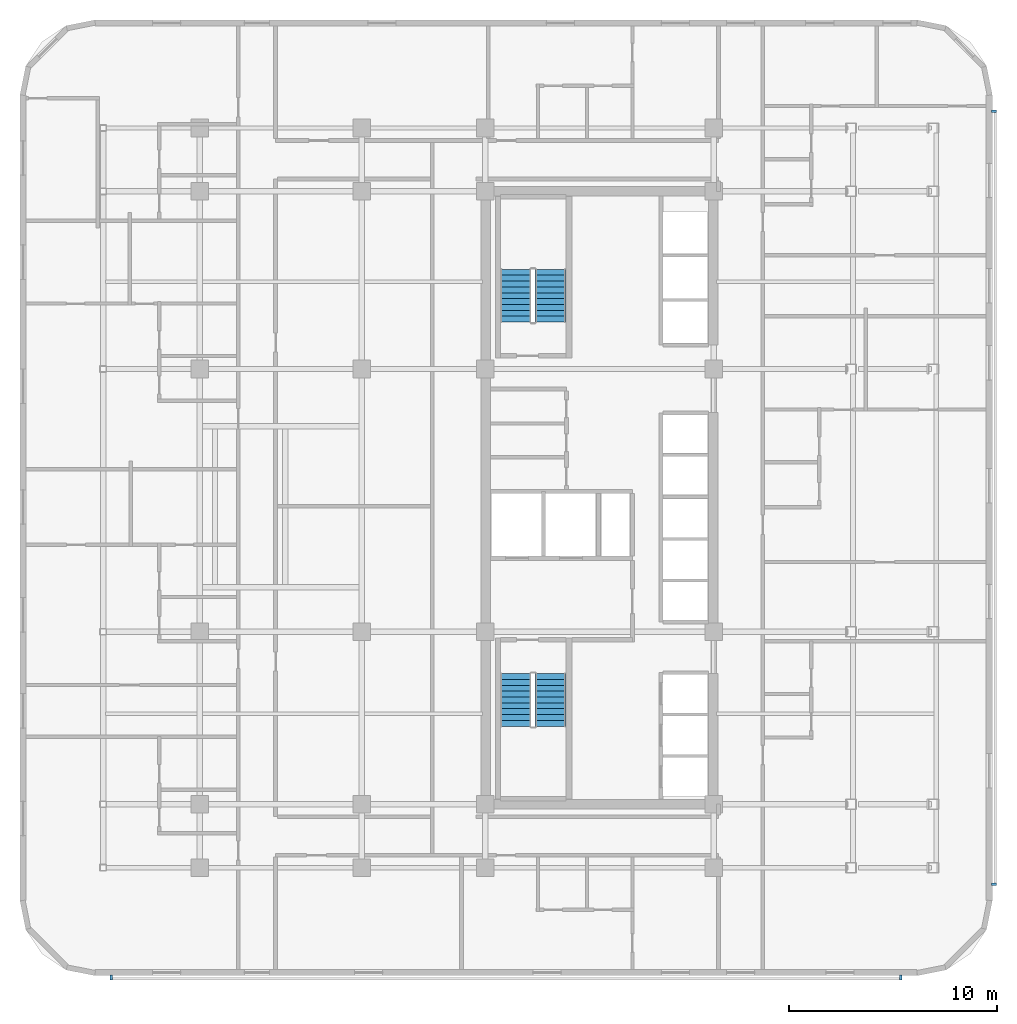
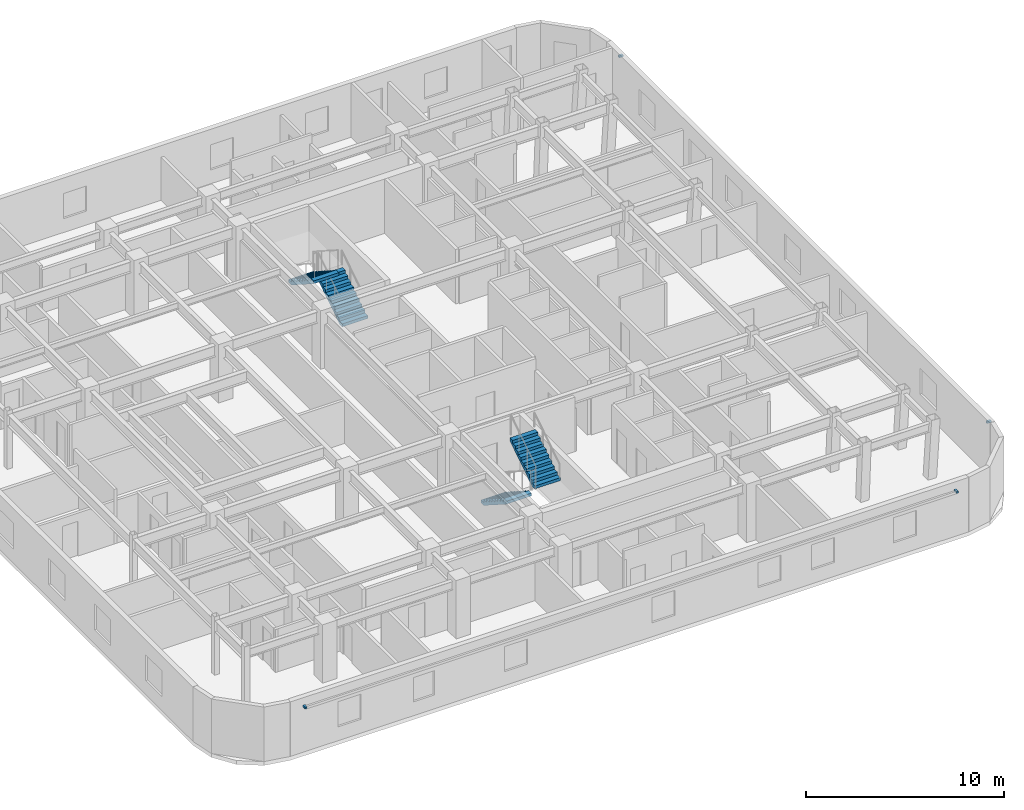
# One storey, part 11 of 14: 4 discrete accessories, 4 stair flights, 2 elements without a shape of their own.
"""IFC4 building model written with IfcOpenShell, lengths in metres."""

from ifc_helpers import new_model, si_unit, direction, frame, origin, origin_2d, place, context, subcontext, project, spatial, polyline, rectangle, outline, extrude, material, type_object, element, aggregate, save


model = new_model("IFC4")

# Units and contexts
model_context = context("Model", 3, precision=1e-05, world=origin(), true_north=direction((0.0, 1.0)))
body_context = subcontext(model_context, "Body", "Model", "MODEL_VIEW")
ifc_project = project(units=[si_unit("LENGTHUNIT", "METRE"), si_unit("AREAUNIT", "SQUARE_METRE"), si_unit("VOLUMEUNIT", "CUBIC_METRE"), si_unit("PLANEANGLEUNIT", "RADIAN"), si_unit("MASSUNIT", "GRAM", prefix="KILO")], contexts=[model_context])

# Site, building, storey
site_placement = place(None, origin())
site = spatial("IfcSite", under=ifc_project, at=site_placement, CompositionType="ELEMENT")
building_placement = place(site_placement, origin())
building = spatial("IfcBuilding", under=site, at=building_placement, Name="Ochreholt Gables", CompositionType="ELEMENT")
storey_placement = place(building_placement, frame((0.0, 0.0, 52.800048828125)))
storey = spatial("IfcBuildingStorey", under=building, at=storey_placement, Name="L13", CompositionType="ELEMENT", Elevation=52.800048828125)

# Stair, stair flights
ifc_material_1 = material(Name="Concrete 40 MPa", Category="concrete")
stair_type_1 = type_object("IfcStairType", Name="STAIR-CORE-ST-1", PredefinedType="HALF_TURN_STAIR", material=ifc_material_1)
stair_1_placement = place(storey_placement, origin())
stair_1 = element("IfcStair", 1, at=stair_1_placement, inside=storey, type_object=stair_type_1, Name="L13 Core Exit Stair 1", PredefinedType="HALF_TURN_STAIR")
stair_flight_type = type_object("IfcStairFlightType", Name="FLIGHT-ST-1480-1800", PredefinedType="STRAIGHT", material=ifc_material_1)
stair_flight_1_placement = place(storey_placement, frame((25.659912109375, 15.5400390625, 0.0), z_axis=(0.0, 0.0, 1.0), x_axis=(0.0, -1.0, 0.0)))
stair_flight_1 = element("IfcStairFlight", 2, at=stair_flight_1_placement, type_object=stair_flight_type, Name="ST-1 flight 1", NumberOfRisers=10, NumberOfTreads=9, PredefinedType="STRAIGHT", RiserHeight=0.18, TreadLength=0.282, context=body_context, shape_type="SweptSolid", body=[
    extrude(outline(polyline([(0.0, 0.0), (0.0, 0.179931640625), (0.281982421875, 0.179931640625), (0.281982421875, 0.360107421875), (0.56396484375, 0.360107421875), (0.56396484375, 0.5400390625), (0.845947265625, 0.5400390625), (0.845947265625, 0.719970703125), (1.1279296875, 0.719970703125), (1.1279296875, 0.89990234375), (1.409912109375, 0.89990234375), (1.409912109375, 1.080078125), (1.69189453125, 1.080078125), (1.69189453125, 1.260009765625), (1.97412109375, 1.260009765625), (1.97412109375, 1.43994140625), (2.256103515625, 1.43994140625), (2.256103515625, 1.6201171875), (2.5380859375, 1.6201171875), (2.5380859375, 1.800048828125), (2.5380859375, 1.442138671875), (0.278564453125, 0.0), (0.0, 0.0)])), frame((0.0, 0.739990234375, 0.0), z_axis=(0.0, -1.0, 0.0), x_axis=(1.0, 0.0, 0.0)), (0.0, 0.0, 1.0), 1.47998046875),
])
stair_flight_2_placement = place(storey_placement, frame((27.340087890625, 13.001953125, 1.800048828125), z_axis=(0.0, 0.0, 1.0), x_axis=(0.0, 1.0, 0.0)))
stair_flight_2 = element("IfcStairFlight", 3, at=stair_flight_2_placement, type_object=stair_flight_type, Name="ST-1 flight 2", NumberOfRisers=10, NumberOfTreads=9, PredefinedType="STRAIGHT", RiserHeight=0.18, TreadLength=0.282, context=body_context, shape_type="SweptSolid", body=[
    extrude(outline(polyline([(0.0, 0.0), (0.0, 0.179931640625), (0.281982421875, 0.179931640625), (0.281982421875, 0.360107421875), (0.56396484375, 0.360107421875), (0.56396484375, 0.5400390625), (0.845947265625, 0.5400390625), (0.845947265625, 0.719970703125), (1.1279296875, 0.719970703125), (1.1279296875, 0.89990234375), (1.409912109375, 0.89990234375), (1.409912109375, 1.080078125), (1.69189453125, 1.080078125), (1.69189453125, 1.260009765625), (1.97412109375, 1.260009765625), (1.97412109375, 1.43994140625), (2.256103515625, 1.43994140625), (2.256103515625, 1.6201171875), (2.5380859375, 1.6201171875), (2.5380859375, 1.800048828125), (2.5380859375, 1.442138671875), (0.278564453125, 0.0), (0.0, 0.0)])), frame((0.0, 0.739990234375, 0.0), z_axis=(0.0, -1.0, 0.0), x_axis=(1.0, 0.0, 0.0)), (0.0, 0.0, 1.0), 1.47998046875),
])
aggregate(stair_1, [stair_flight_1, stair_flight_2])

stair_type_2 = type_object("IfcStairType", Name="STAIR-CORE-ST-2", PredefinedType="HALF_TURN_STAIR", material=ifc_material_1)
stair_2_placement = place(storey_placement, origin())
stair_2 = element("IfcStair", 4, at=stair_2_placement, inside=storey, type_object=stair_type_2, Name="L13 Core Exit Stair 2", PredefinedType="HALF_TURN_STAIR")
stair_flight_3_placement = place(storey_placement, frame((27.340087890625, 32.4599609375, 0.0), z_axis=(0.0, 0.0, 1.0), x_axis=(0.0, 1.0, 0.0)))
stair_flight_3 = element("IfcStairFlight", 5, at=stair_flight_3_placement, type_object=stair_flight_type, Name="ST-2 flight 1", NumberOfRisers=10, NumberOfTreads=9, PredefinedType="STRAIGHT", RiserHeight=0.18, TreadLength=0.282, context=body_context, shape_type="SweptSolid", body=[
    extrude(outline(polyline([(0.0, 0.0), (0.0, 0.179931640625), (0.281982421875, 0.179931640625), (0.281982421875, 0.360107421875), (0.56396484375, 0.360107421875), (0.56396484375, 0.5400390625), (0.845947265625, 0.5400390625), (0.845947265625, 0.719970703125), (1.1279296875, 0.719970703125), (1.1279296875, 0.89990234375), (1.409912109375, 0.89990234375), (1.409912109375, 1.080078125), (1.69189453125, 1.080078125), (1.69189453125, 1.260009765625), (1.97412109375, 1.260009765625), (1.97412109375, 1.43994140625), (2.256103515625, 1.43994140625), (2.256103515625, 1.6201171875), (2.5380859375, 1.6201171875), (2.5380859375, 1.800048828125), (2.5380859375, 1.442138671875), (0.278564453125, 0.0), (0.0, 0.0)])), frame((0.0, 0.739990234375, 0.0), z_axis=(0.0, -1.0, 0.0), x_axis=(1.0, 0.0, 0.0)), (0.0, 0.0, 1.0), 1.47998046875),
])
stair_flight_4_placement = place(storey_placement, frame((25.659912109375, 34.998046875, 1.800048828125), z_axis=(0.0, 0.0, 1.0), x_axis=(0.0, -1.0, 0.0)))
stair_flight_4 = element("IfcStairFlight", 6, at=stair_flight_4_placement, type_object=stair_flight_type, Name="ST-2 flight 2", NumberOfRisers=10, NumberOfTreads=9, PredefinedType="STRAIGHT", RiserHeight=0.18, TreadLength=0.282, context=body_context, shape_type="SweptSolid", body=[
    extrude(outline(polyline([(0.0, 0.0), (0.0, 0.179931640625), (0.281982421875, 0.179931640625), (0.281982421875, 0.360107421875), (0.56396484375, 0.360107421875), (0.56396484375, 0.5400390625), (0.845947265625, 0.5400390625), (0.845947265625, 0.719970703125), (1.1279296875, 0.719970703125), (1.1279296875, 0.89990234375), (1.409912109375, 0.89990234375), (1.409912109375, 1.080078125), (1.69189453125, 1.080078125), (1.69189453125, 1.260009765625), (1.97412109375, 1.260009765625), (1.97412109375, 1.43994140625), (2.256103515625, 1.43994140625), (2.256103515625, 1.6201171875), (2.5380859375, 1.6201171875), (2.5380859375, 1.800048828125), (2.5380859375, 1.442138671875), (0.278564453125, 0.0), (0.0, 0.0)])), frame((0.0, 0.739990234375, 0.0), z_axis=(0.0, -1.0, 0.0), x_axis=(1.0, 0.0, 0.0)), (0.0, 0.0, 1.0), 1.47998046875),
])
aggregate(stair_2, [stair_flight_3, stair_flight_4])

# Discrete accessories
ifc_material_2 = material(Name="Extruded Aluminium Standoff Bracket", Category="aluminium")
discrete_accessory_type = type_object("IfcDiscreteAccessoryType", Name="ACC-BRACKET-AL", PredefinedType="BRACKET", material=ifc_material_2)
for number, where, z_axis, x_axis, name in (
    (7, (6.199951171875, 0.909912109375, 2.77978515625), (0.0, 0.0, 1.0), (1.0, 0.0, 0.0), "L13 Baguette Standoff Bracket S1-1"),
    (8, (44.199951171875, 0.909912109375, 2.77978515625), (0.0, 0.0, 1.0), (1.0, 0.0, 0.0), "L13 Baguette Standoff Bracket S1-2"),
    (9, (48.68994140625, 5.39990234375, 2.77978515625), (0.0, 0.0, 1.0), (0.0, 1.0, 0.0), "L13 Baguette Standoff Bracket E1-1"),
    (10, (48.68994140625, 42.60009765625, 2.77978515625), (0.0, 0.0, 1.0), (0.0, 1.0, 0.0), "L13 Baguette Standoff Bracket E1-2"),
):
    element("IfcDiscreteAccessory", number, at=place(storey_placement, frame(where, z_axis=z_axis, x_axis=x_axis)), inside=storey, type_object=discrete_accessory_type, Name=name, PredefinedType="BRACKET", context=body_context, shape_type="SweptSolid", body=[
        extrude(rectangle(XDim=0.1201171875, YDim=0.239990234375, at=origin_2d()), origin(), (0.0, 0.0, 1.0), 0.1201171875),
    ])

save(model, "model.ifc")
